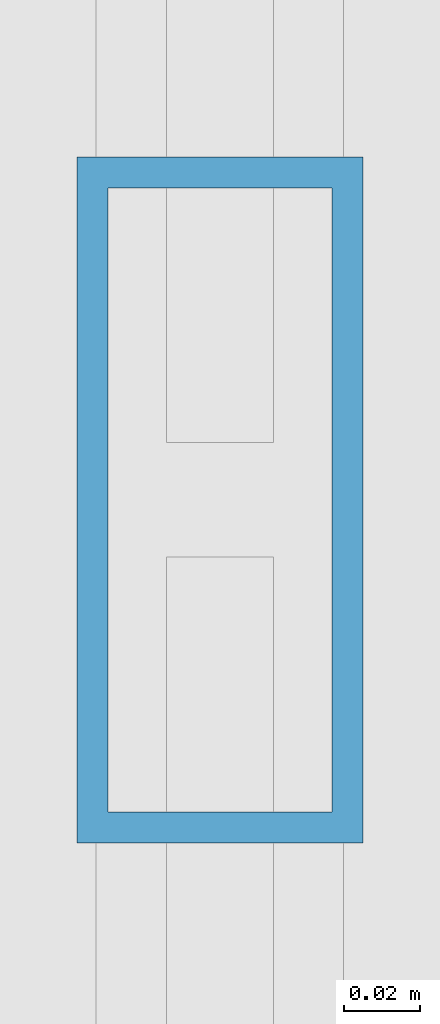
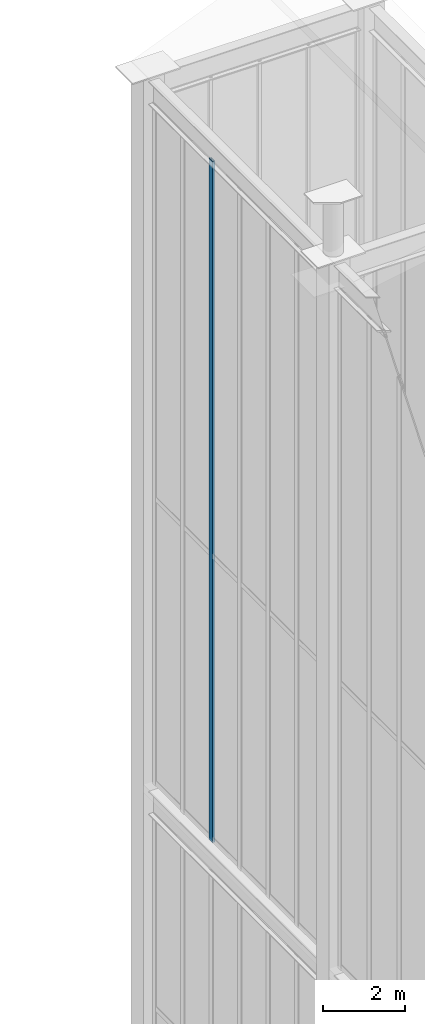
# One storey, part 102 of 135: 1 member, 1 element without a shape of its own.
"""IFC4 building model written with IfcOpenShell, lengths in metres."""

from ifc_helpers import new_model, si_unit, direction, frame, origin, origin_2d, place, context, subcontext, project, spatial, hollow_rectangle, extrude, source, transform, mapped, material, layer, layer_set, material_profile, profile_set, type_object, element, aggregate, save


model = new_model("IFC4")

# Units and contexts
model_context = context("Model", 3, precision=1e-05, world=origin(), true_north=direction((0.0, 1.0)))
body_context = subcontext(model_context, "Body", "Model", "MODEL_VIEW")
ifc_project = project(units=[si_unit("LENGTHUNIT", "METRE"), si_unit("AREAUNIT", "SQUARE_METRE"), si_unit("VOLUMEUNIT", "CUBIC_METRE"), si_unit("PLANEANGLEUNIT", "RADIAN"), si_unit("MASSUNIT", "GRAM", prefix="KILO")], contexts=[model_context])

# Site, building, storey
site_placement = place(None, origin())
site = spatial("IfcSite", under=ifc_project, at=site_placement, CompositionType="ELEMENT")
building_placement = place(site_placement, origin())
building = spatial("IfcBuilding", under=site, at=building_placement, Name="Giltprow Tower", CompositionType="ELEMENT")
storey_placement = place(building_placement, frame((0.0, 0.0, 352.699951171875)))
storey = spatial("IfcBuildingStorey", under=building, at=storey_placement, Name="L92", CompositionType="ELEMENT", Elevation=352.699951171875)

# Curtain wall, member
ifc_material = material(Name="Anodized bronze", Category="metal")
ifc_layer = layer(ifc_material, 0.179931640625, Name="Anodized bronze")
ifc_layer_set = layer_set([ifc_layer], Name="Anodized bronze")
curtain_wall_type = type_object("IfcCurtainWallType", Name="CW-CROWN-LANTERN", PredefinedType="NOTDEFINED", material=ifc_layer_set)
curtain_wall_placement = place(storey_placement, origin())
curtain_wall = element("IfcCurtainWall", 1, at=curtain_wall_placement, inside=storey, type_object=curtain_wall_type, Name="Crown East Upper Lantern Glazing 5", PredefinedType="NOTDEFINED")
ifc_material_profile = material_profile(ifc_material, hollow_rectangle(XDim=0.074951171875, YDim=0.179931640625, WallThickness=0.008056640625, at=origin_2d()), Name="RHS 180x75x8")
ifc_profile_set = profile_set([ifc_material_profile], Name="Anodized bronze")
member_type = type_object("IfcMemberType", Name="CW-MULLION-180x75", PredefinedType="MULLION", material=ifc_profile_set)
shared_shape = source(origin(), body_context, "Body", "SweptSolid", [
    extrude(hollow_rectangle(XDim=0.074951171875, YDim=0.179931640625, WallThickness=0.008056640625, at=origin_2d()), origin(), (0.0, 0.0, 1.0), 20.406005859375),
])
member_placement = place(storey_placement, frame((44.300048828125, 43.39990234375, 17.25), z_axis=(0.0, 0.0, 1.0), x_axis=(1.0, 0.0, 0.0)))
member = element("IfcMember", 2, at=member_placement, type_object=member_type, Name="Crown East Upper Lantern Glazing 5 Mullion 3", PredefinedType="MULLION", context=body_context, shape_type="MappedRepresentation", body=[
    mapped(shared_shape, transform((0.0, 0.0, 0.0), x_axis=(1.0, 0.0, 0.0), y_axis=(0.0, 1.0, 0.0), z_axis=(0.0, 0.0, 1.0), scale=1.0)),
])
aggregate(curtain_wall, [member])

save(model, "model.ifc")
